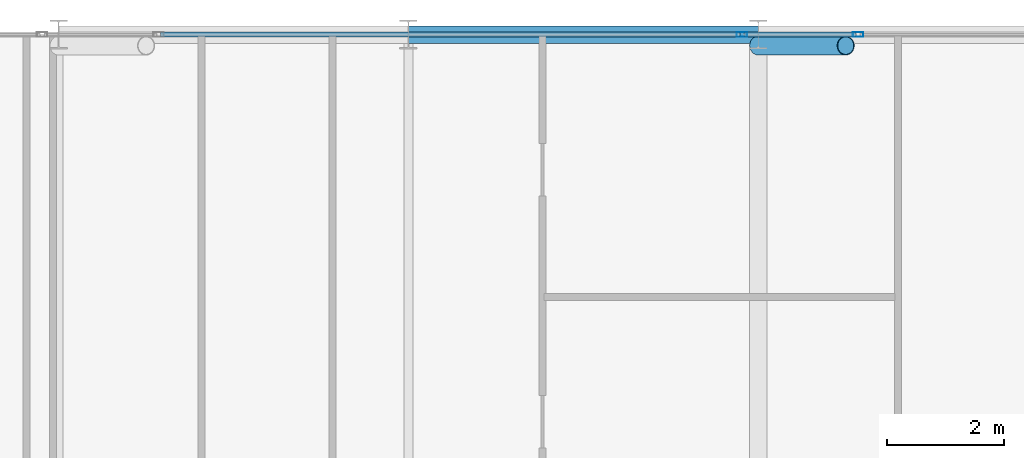
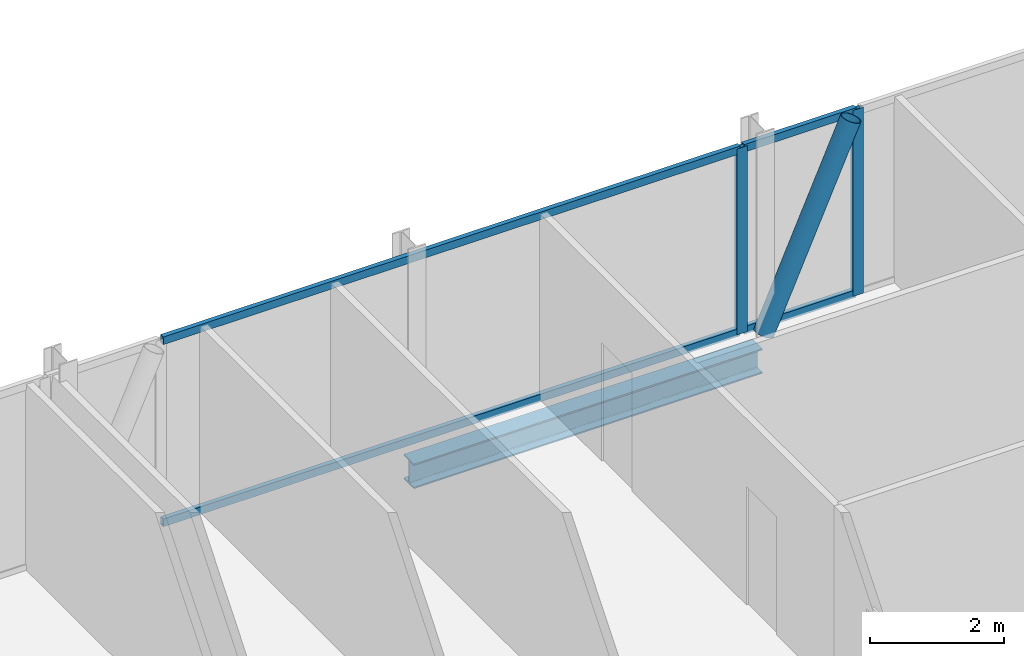
# One storey, part 18 of 31: 7 members, 1 beam, 2 elements without a shape of their own.
"""IFC4 building model written with IfcOpenShell, lengths in metres."""

from ifc_helpers import new_model, si_unit, direction, frame, origin, origin_2d, place, context, subcontext, project, spatial, hollow_rectangle, hollow_circle, i_section, extrude, material, layer, layer_set, material_profile, profile_set, type_object, element, aggregate, save


model = new_model("IFC4")

# Units and contexts
model_context = context("Model", 3, precision=1e-05, world=origin(), true_north=direction((0.0, 1.0)))
body_context = subcontext(model_context, "Body", "Model", "MODEL_VIEW")
ifc_project = project(units=[si_unit("LENGTHUNIT", "METRE"), si_unit("AREAUNIT", "SQUARE_METRE"), si_unit("VOLUMEUNIT", "CUBIC_METRE"), si_unit("PLANEANGLEUNIT", "RADIAN"), si_unit("MASSUNIT", "GRAM", prefix="KILO")], contexts=[model_context])

# Site, building, storey
site_placement = place(None, origin())
site = spatial("IfcSite", under=ifc_project, at=site_placement, CompositionType="ELEMENT")
building_placement = place(site_placement, origin())
building = spatial("IfcBuilding", under=site, at=building_placement, Name="Keshet Zoharim Tower", CompositionType="ELEMENT")
storey_placement = place(building_placement, frame((0.0, 0.0, 129.800048828125)))
storey = spatial("IfcBuildingStorey", under=building, at=storey_placement, Name="L31", CompositionType="ELEMENT", Elevation=129.800048828125)

# Beam
ifc_material_1 = material(Name="Steel S355", Category="steel")
ifc_material_profile_1 = material_profile(ifc_material_1, i_section(OverallWidth=0.300048828125, OverallDepth=0.449951171875, WebThickness=0.013916015625, FlangeThickness=0.02587890625, FilletRadius=0.027099609375, at=origin_2d()), Name="HEB450")
ifc_profile_set_1 = profile_set([ifc_material_profile_1], Name="Steel S355")
beam_type = type_object("IfcBeamType", Name="BM-WEB-HB450", PredefinedType="BEAM", material=ifc_profile_set_1)
beam_placement = place(storey_placement, frame((27.0, 53.89990234375, -0.5400390625), z_axis=(1.0, 0.0, 0.0), x_axis=(0.0, 1.0, 0.0)))
element("IfcBeam", 1, at=beam_placement, inside=storey, type_object=beam_type, Name="L31 Primary Girder X-021", PredefinedType="BEAM", context=body_context, shape_type="SweptSolid", body=[
    extrude(i_section(OverallWidth=0.300048828125, OverallDepth=0.449951171875, WebThickness=0.013916015625, FlangeThickness=0.02587890625, FilletRadius=0.027099609375, at=origin_2d()), origin(), (0.0, 0.0, 1.0), 6.0),
])

# Curtain wall, member
ifc_material_2 = material(Name="Aluminium 6063-T6", Category="aluminium")
ifc_layer = layer(ifc_material_2, 0.159912109375)
ifc_layer_set = layer_set([ifc_layer], Name="Aluminium 6063-T6")
curtain_wall_type = type_object("IfcCurtainWallType", Name="CW-SYS-03", PredefinedType="NOTDEFINED", material=ifc_layer_set)
curtain_wall_1_placement = place(storey_placement, origin())
curtain_wall_1 = element("IfcCurtainWall", 2, at=curtain_wall_1_placement, inside=storey, type_object=curtain_wall_type, Name="L31 Unitised Curtain Wall 13 Part 3", PredefinedType="NOTDEFINED")
ifc_material_profile_2 = material_profile(ifc_material_2, hollow_rectangle(XDim=0.080078125, YDim=0.179931640625, WallThickness=0.00439453125, at=origin_2d()), Name="MUL-80x180")
ifc_profile_set_2 = profile_set([ifc_material_profile_2], Name="Aluminium 6063-T6")
member_type_1 = type_object("IfcMemberType", Name="CWM-M18", PredefinedType="MULLION", material=ifc_profile_set_2)
member_1_placement = place(storey_placement, frame((32.716796875, 53.89990234375, 0.0), z_axis=(0.0, 0.0, 1.0), x_axis=(0.0, 1.0, 0.0)))
member_1 = element("IfcMember", 3, at=member_1_placement, type_object=member_type_1, Name="CW-03 mullion 2", PredefinedType="MULLION", context=body_context, shape_type="SweptSolid", body=[
    extrude(hollow_rectangle(XDim=0.080078125, YDim=0.179931640625, WallThickness=0.00439453125, at=origin_2d()), origin(), (0.0, 0.0, 1.0), 3.385009765625),
])

curtain_wall_2_placement = place(storey_placement, origin())
curtain_wall_2 = element("IfcCurtainWall", 4, at=curtain_wall_2_placement, inside=storey, type_object=curtain_wall_type, Name="L31 Unitised Curtain Wall 13 Part 4", PredefinedType="NOTDEFINED")
member_2_placement = place(storey_placement, frame((34.713134765625, 53.89990234375, 0.0), z_axis=(0.0, 0.0, 1.0), x_axis=(0.0, 1.0, 0.0)))
member_2 = element("IfcMember", 5, at=member_2_placement, type_object=member_type_1, Name="CW-03 mullion 2", PredefinedType="MULLION", context=body_context, shape_type="SweptSolid", body=[
    extrude(hollow_rectangle(XDim=0.080078125, YDim=0.179931640625, WallThickness=0.00439453125, at=origin_2d()), origin(), (0.0, 0.0, 1.0), 3.385009765625),
])

# Member
ifc_material_profile_3 = material_profile(ifc_material_2, hollow_rectangle(XDim=0.080078125, YDim=0.139892578125, WallThickness=0.00390625, at=origin_2d()), Name="TRN-80x140")
ifc_profile_set_3 = profile_set([ifc_material_profile_3], Name="Aluminium 6063-T6")
member_type_2 = type_object("IfcMemberType", Name="CWT-T14", PredefinedType="USERDEFINED", material=ifc_profile_set_3)
member_3_placement = place(storey_placement, frame((22.748046875, 53.89990234375, 0.034912109375), z_axis=(1.0, 0.0, 0.0), x_axis=(0.0, 1.0, 0.0)))
member_3 = element("IfcMember", 6, at=member_3_placement, type_object=member_type_2, Name="CW-03 transom 1.1", ObjectType="TRANSOM", PredefinedType="USERDEFINED", context=body_context, shape_type="SweptSolid", body=[
    extrude(hollow_rectangle(XDim=0.080078125, YDim=0.139892578125, WallThickness=0.00390625, at=origin_2d()), origin(), (0.0, 0.0, 1.0), 9.933837890625),
])

member_4_placement = place(storey_placement, frame((22.748046875, 53.89990234375, 3.349853515625), z_axis=(1.0, 0.0, 0.0), x_axis=(0.0, 1.0, 0.0)))
member_4 = element("IfcMember", 7, at=member_4_placement, type_object=member_type_2, Name="CW-03 transom 1.2", ObjectType="TRANSOM", PredefinedType="USERDEFINED", context=body_context, shape_type="SweptSolid", body=[
    extrude(hollow_rectangle(XDim=0.080078125, YDim=0.139892578125, WallThickness=0.00390625, at=origin_2d()), origin(), (0.0, 0.0, 1.0), 9.933837890625),
])

aggregate(curtain_wall_1, [member_1, member_3, member_4])

member_5_placement = place(storey_placement, frame((32.751953125, 53.89990234375, 0.034912109375), z_axis=(1.0, 0.0, 0.0), x_axis=(0.0, 1.0, 0.0)))
member_5 = element("IfcMember", 8, at=member_5_placement, type_object=member_type_2, Name="CW-03 transom 1.1", ObjectType="TRANSOM", PredefinedType="USERDEFINED", context=body_context, shape_type="SweptSolid", body=[
    extrude(hollow_rectangle(XDim=0.080078125, YDim=0.139892578125, WallThickness=0.00390625, at=origin_2d()), origin(), (0.0, 0.0, 1.0), 1.926025390625),
])

member_6_placement = place(storey_placement, frame((32.751953125, 53.89990234375, 3.349853515625), z_axis=(1.0, 0.0, 0.0), x_axis=(0.0, 1.0, 0.0)))
member_6 = element("IfcMember", 9, at=member_6_placement, type_object=member_type_2, Name="CW-03 transom 1.2", ObjectType="TRANSOM", PredefinedType="USERDEFINED", context=body_context, shape_type="SweptSolid", body=[
    extrude(hollow_rectangle(XDim=0.080078125, YDim=0.139892578125, WallThickness=0.00390625, at=origin_2d()), origin(), (0.0, 0.0, 1.0), 1.926025390625),
])

aggregate(curtain_wall_2, [member_2, member_5, member_6])

ifc_material_profile_4 = material_profile(ifc_material_1, hollow_circle(Radius=0.161865234375, WallThickness=0.012451171875, at=origin_2d()), Name="CHS323x12.5")
ifc_profile_set_4 = profile_set([ifc_material_profile_4], Name="Steel S355")
member_type_3 = type_object("IfcMemberType", Name="MB-BR-C323", PredefinedType="BRACE", material=ifc_profile_set_4)
member_7_placement = place(storey_placement, frame((33.0, 53.7099609375, 0.0), z_axis=(0.405134846829, 0.0, 0.91425694194), x_axis=(0.0, 1.0, 0.0)))
element("IfcMember", 10, at=member_7_placement, inside=storey, type_object=member_type_3, Name="L31 Perimeter Tube Brace 03", PredefinedType="BRACE", context=body_context, shape_type="SweptSolid", body=[
    extrude(hollow_circle(Radius=0.161865234375, WallThickness=0.012451171875, at=origin_2d()), origin(), (0.0, 0.0, 1.0), 3.702392578125),
])

save(model, "model.ifc")
